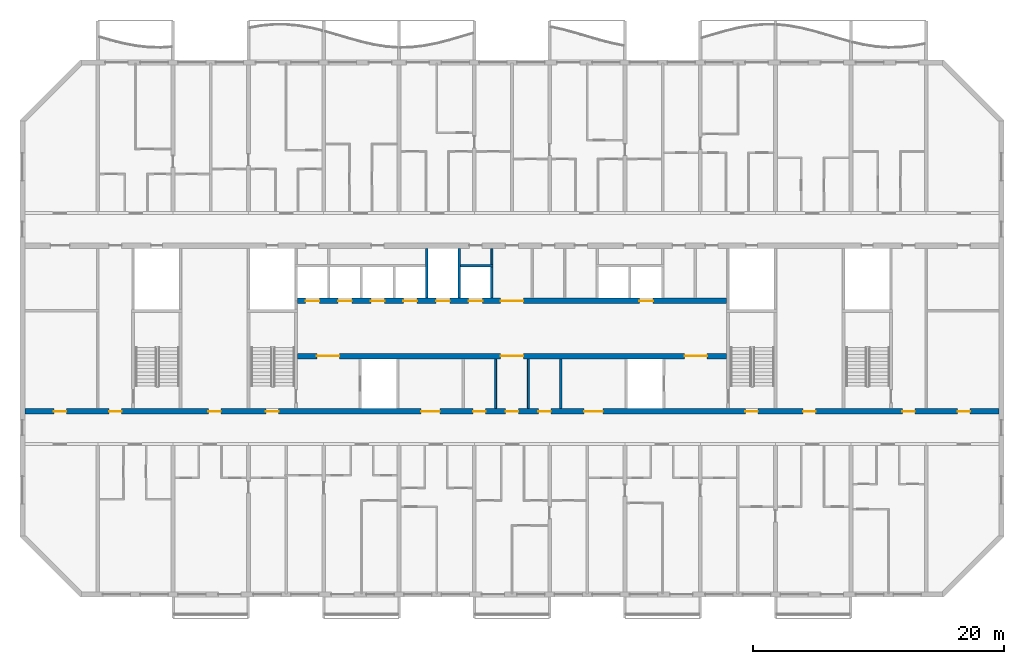
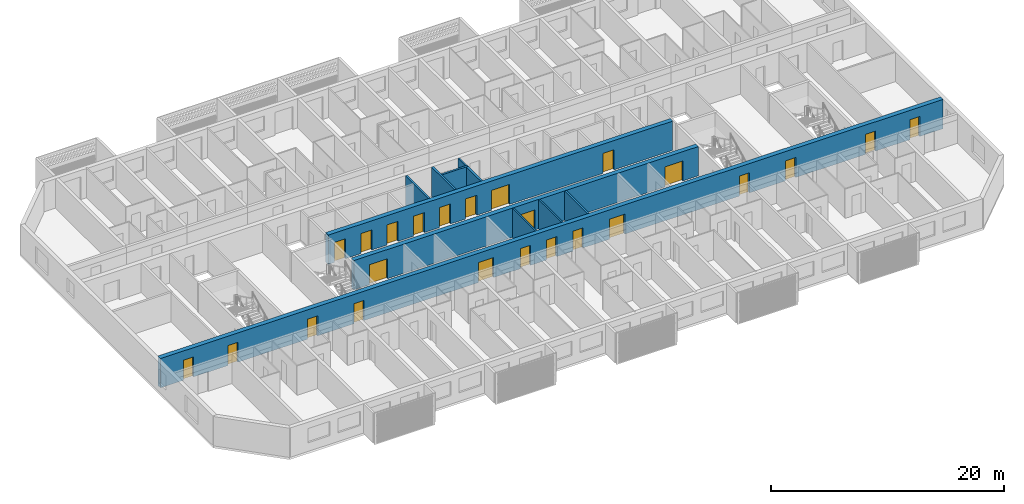
# One storey, part 7 of 33: 24 doors, 11 walls, 24 openings.
"""IFC4 building model written with IfcOpenShell, lengths in metres."""

from ifc_helpers import new_model, si_unit, direction, frame, frame_2d, origin, place, context, subcontext, project, spatial, rectangle, extrude, material, layer, layer_set, type_object, element, fill, save


model = new_model("IFC4")

# Units and contexts
model_context = context("Model", 3, precision=1e-05, world=origin(), true_north=direction((0.0, 1.0)))
body_context = subcontext(model_context, "Body", "Model", "MODEL_VIEW")
ifc_project = project(units=[si_unit("LENGTHUNIT", "METRE"), si_unit("AREAUNIT", "SQUARE_METRE"), si_unit("VOLUMEUNIT", "CUBIC_METRE"), si_unit("PLANEANGLEUNIT", "RADIAN"), si_unit("MASSUNIT", "GRAM", prefix="KILO")], contexts=[model_context])

# Site, building, storey
site_placement = place(None, origin())
site = spatial("IfcSite", under=ifc_project, at=site_placement, CompositionType="ELEMENT")
building_placement = place(site_placement, origin())
building = spatial("IfcBuilding", under=site, at=building_placement, Name="Poui Terraces", CompositionType="ELEMENT")
storey_placement = place(building_placement, frame((0.0, 0.0, 132.300048828125)))
storey = spatial("IfcBuildingStorey", under=building, at=storey_placement, Name="L36", CompositionType="ELEMENT", Elevation=132.300048828125)

# Wall, openings, doors
ifc_material_1 = material(Name="Concrete 65 MPa", Category="concrete")
ifc_layer_1 = layer(ifc_material_1, 0.449951171875)
ifc_layer_set_1 = layer_set([ifc_layer_1], Name="Concrete 65 MPa")
wall_type_1 = type_object("IfcWallType", Name="CORE WALL 450 65 MPA", PredefinedType="SOLIDWALL", material=ifc_layer_set_1)
wall_1_placement = place(storey_placement, frame((33.925048828125, 19.0, 0.0), z_axis=(0.0, 0.0, 1.0), x_axis=(1.0, 0.0, 0.0)))
wall_1 = element("IfcWall", 1, at=wall_1_placement, inside=storey, type_object=wall_type_1, Name="CORE WALL", PredefinedType="SOLIDWALL", context=body_context, shape_type="SweptSolid", body=[
    extrude(rectangle(XDim=34.14990234375, YDim=0.449951171875, at=frame_2d((17.074951171875, 0.0))), origin(), (0.0, 0.0, 1.0), 3.070068359375),
])
opening_1_placement = place(wall_1_placement, frame((16.175048828125, 0.0, 0.0)))
opening_1 = element("IfcOpeningElement", 2, at=opening_1_placement, cuts=wall_1, Name="Opening FDD60", PredefinedType="OPENING", context=body_context, shape_type="SweptSolid", body=[
    extrude(rectangle(XDim=1.800048828125, YDim=2.10009765625, at=frame_2d((0.89990234375, 1.050048828125))), frame((0.0, 0.23486328125, 0.0), z_axis=(0.0, -1.0, 0.0), x_axis=(1.0, 0.0, 0.0)), (0.0, 0.0, 1.0), 0.469970703125),
])
opening_2_placement = place(wall_1_placement, frame((1.52490234375, 0.0, 0.0)))
opening_2 = element("IfcOpeningElement", 3, at=opening_2_placement, cuts=wall_1, Name="Opening FDD60", PredefinedType="OPENING", context=body_context, shape_type="SweptSolid", body=[
    extrude(rectangle(XDim=1.800048828125, YDim=2.10009765625, at=frame_2d((0.89990234375, 1.050048828125))), frame((0.0, 0.23486328125, 0.0), z_axis=(0.0, -1.0, 0.0), x_axis=(1.0, 0.0, 0.0)), (0.0, 0.0, 1.0), 0.469970703125),
])
opening_3_placement = place(wall_1_placement, frame((30.824951171875, 0.0, 0.0)))
opening_3 = element("IfcOpeningElement", 4, at=opening_3_placement, cuts=wall_1, Name="Opening FDD60", PredefinedType="OPENING", context=body_context, shape_type="SweptSolid", body=[
    extrude(rectangle(XDim=1.800048828125, YDim=2.10009765625, at=frame_2d((0.89990234375, 1.050048828125))), frame((0.0, 0.23486328125, 0.0), z_axis=(0.0, -1.0, 0.0), x_axis=(1.0, 0.0, 0.0)), (0.0, 0.0, 1.0), 0.469970703125),
])
ifc_material_2 = material(Name="Steel fire door", Category="steel")
door_type_1 = type_object("IfcDoorType", Name="DOUBLE LOBBY FIRE DOOR 1800 X 2100", OperationType="DOUBLE_DOOR_SINGLE_SWING", PredefinedType="DOOR", material=ifc_material_2)
door_1_placement = place(opening_1_placement, frame((1.800048828125, 0.0, 0.0), z_axis=(0.0, 0.0, 1.0), x_axis=(-1.0, 0.0, 0.0)))
door_1 = element("IfcDoor", 5, at=door_1_placement, inside=storey, type_object=door_type_1, Name="DOUBLE LOBBY FIRE DOOR 122", OperationType="DOUBLE_DOOR_SINGLE_SWING", OverallHeight=2.10009765625, OverallWidth=1.800048828125, PredefinedType="DOOR", context=body_context, shape_type="SweptSolid", body=[
    extrude(rectangle(XDim=1.800048828125, YDim=2.10009765625, at=frame_2d((0.89990234375, 1.050048828125))), frame((0.0, 0.02490234375, 0.0), z_axis=(0.0, -1.0, 0.0), x_axis=(1.0, 0.0, 0.0)), (0.0, 0.0, 1.0), 0.050048828125),
])
fill(opening_1, door_1)
door_2_placement = place(opening_2_placement, origin())
door_2 = element("IfcDoor", 6, at=door_2_placement, inside=storey, type_object=door_type_1, Name="DOUBLE LOBBY FIRE DOOR 124", OperationType="DOUBLE_DOOR_SINGLE_SWING", OverallHeight=2.10009765625, OverallWidth=1.800048828125, PredefinedType="DOOR", context=body_context, shape_type="SweptSolid", body=[
    extrude(rectangle(XDim=1.800048828125, YDim=2.10009765625, at=frame_2d((0.89990234375, 1.050048828125))), frame((0.0, 0.02490234375, 0.0), z_axis=(0.0, -1.0, 0.0), x_axis=(1.0, 0.0, 0.0)), (0.0, 0.0, 1.0), 0.050048828125),
])
fill(opening_2, door_2)
door_3_placement = place(opening_3_placement, origin())
door_3 = element("IfcDoor", 7, at=door_3_placement, inside=storey, type_object=door_type_1, Name="DOUBLE LOBBY FIRE DOOR 131", OperationType="DOUBLE_DOOR_SINGLE_SWING", OverallHeight=2.10009765625, OverallWidth=1.800048828125, PredefinedType="DOOR", context=body_context, shape_type="SweptSolid", body=[
    extrude(rectangle(XDim=1.800048828125, YDim=2.10009765625, at=frame_2d((0.89990234375, 1.050048828125))), frame((0.0, 0.02490234375, 0.0), z_axis=(0.0, -1.0, 0.0), x_axis=(1.0, 0.0, 0.0)), (0.0, 0.0, 1.0), 0.050048828125),
])
fill(opening_3, door_3)

wall_2_placement = place(storey_placement, frame((33.925048828125, 23.39990234375, 0.0), z_axis=(0.0, 0.0, 1.0), x_axis=(1.0, 0.0, 0.0)))
wall_2 = element("IfcWall", 8, at=wall_2_placement, inside=storey, type_object=wall_type_1, Name="CORE WALL", PredefinedType="SOLIDWALL", context=body_context, shape_type="SweptSolid", body=[
    extrude(rectangle(XDim=34.14990234375, YDim=0.449951171875, at=frame_2d((17.074951171875, 0.0))), origin(), (0.0, 0.0, 1.0), 3.070068359375),
])
opening_4_placement = place(wall_2_placement, frame((16.175048828125, 0.0, 0.0)))
opening_4 = element("IfcOpeningElement", 9, at=opening_4_placement, cuts=wall_2, Name="Opening FDD60", PredefinedType="OPENING", context=body_context, shape_type="SweptSolid", body=[
    extrude(rectangle(XDim=1.800048828125, YDim=2.10009765625, at=frame_2d((0.89990234375, 1.050048828125))), frame((0.0, 0.23486328125, 0.0), z_axis=(0.0, -1.0, 0.0), x_axis=(1.0, 0.0, 0.0)), (0.0, 0.0, 1.0), 0.469970703125),
])
opening_5_placement = place(wall_2_placement, frame((0.625, 0.0, 0.0)))
opening_5 = element("IfcOpeningElement", 10, at=opening_5_placement, cuts=wall_2, Name="Opening LD", PredefinedType="OPENING", context=body_context, shape_type="SweptSolid", body=[
    extrude(rectangle(XDim=1.10009765625, YDim=2.10009765625, at=frame_2d((0.550048828125, 1.050048828125))), frame((0.0, 0.23486328125, 0.0), z_axis=(0.0, -1.0, 0.0), x_axis=(1.0, 0.0, 0.0)), (0.0, 0.0, 1.0), 0.469970703125),
])
opening_6_placement = place(wall_2_placement, frame((3.22509765625, 0.0, 0.0)))
opening_6 = element("IfcOpeningElement", 11, at=opening_6_placement, cuts=wall_2, Name="Opening LD", PredefinedType="OPENING", context=body_context, shape_type="SweptSolid", body=[
    extrude(rectangle(XDim=1.10009765625, YDim=2.10009765625, at=frame_2d((0.550048828125, 1.050048828125))), frame((0.0, 0.23486328125, 0.0), z_axis=(0.0, -1.0, 0.0), x_axis=(1.0, 0.0, 0.0)), (0.0, 0.0, 1.0), 0.469970703125),
])
opening_7_placement = place(wall_2_placement, frame((5.824951171875, 0.0, 0.0)))
opening_7 = element("IfcOpeningElement", 12, at=opening_7_placement, cuts=wall_2, Name="Opening LD", PredefinedType="OPENING", context=body_context, shape_type="SweptSolid", body=[
    extrude(rectangle(XDim=1.10009765625, YDim=2.10009765625, at=frame_2d((0.550048828125, 1.050048828125))), frame((0.0, 0.23486328125, 0.0), z_axis=(0.0, -1.0, 0.0), x_axis=(1.0, 0.0, 0.0)), (0.0, 0.0, 1.0), 0.469970703125),
])
opening_8_placement = place(wall_2_placement, frame((8.425048828125, 0.0, 0.0)))
opening_8 = element("IfcOpeningElement", 13, at=opening_8_placement, cuts=wall_2, Name="Opening LD", PredefinedType="OPENING", context=body_context, shape_type="SweptSolid", body=[
    extrude(rectangle(XDim=1.10009765625, YDim=2.10009765625, at=frame_2d((0.550048828125, 1.050048828125))), frame((0.0, 0.23486328125, 0.0), z_axis=(0.0, -1.0, 0.0), x_axis=(1.0, 0.0, 0.0)), (0.0, 0.0, 1.0), 0.469970703125),
])
opening_9_placement = place(wall_2_placement, frame((11.02490234375, 0.0, 0.0)))
opening_9 = element("IfcOpeningElement", 14, at=opening_9_placement, cuts=wall_2, Name="Opening LD", PredefinedType="OPENING", context=body_context, shape_type="SweptSolid", body=[
    extrude(rectangle(XDim=1.10009765625, YDim=2.10009765625, at=frame_2d((0.550048828125, 1.050048828125))), frame((0.0, 0.23486328125, 0.0), z_axis=(0.0, -1.0, 0.0), x_axis=(1.0, 0.0, 0.0)), (0.0, 0.0, 1.0), 0.469970703125),
])
opening_10_placement = place(wall_2_placement, frame((13.625, 0.0, 0.0)))
opening_10 = element("IfcOpeningElement", 15, at=opening_10_placement, cuts=wall_2, Name="Opening LD", PredefinedType="OPENING", context=body_context, shape_type="SweptSolid", body=[
    extrude(rectangle(XDim=1.10009765625, YDim=2.10009765625, at=frame_2d((0.550048828125, 1.050048828125))), frame((0.0, 0.23486328125, 0.0), z_axis=(0.0, -1.0, 0.0), x_axis=(1.0, 0.0, 0.0)), (0.0, 0.0, 1.0), 0.469970703125),
])
opening_11_placement = place(wall_2_placement, frame((27.22509765625, 0.0, 0.0)))
opening_11 = element("IfcOpeningElement", 16, at=opening_11_placement, cuts=wall_2, Name="Opening LD", PredefinedType="OPENING", context=body_context, shape_type="SweptSolid", body=[
    extrude(rectangle(XDim=1.10009765625, YDim=2.10009765625, at=frame_2d((0.550048828125, 1.050048828125))), frame((0.0, 0.23486328125, 0.0), z_axis=(0.0, -1.0, 0.0), x_axis=(1.0, 0.0, 0.0)), (0.0, 0.0, 1.0), 0.469970703125),
])
door_4_placement = place(opening_4_placement, origin())
door_4 = element("IfcDoor", 17, at=door_4_placement, inside=storey, type_object=door_type_1, Name="DOUBLE LOBBY FIRE DOOR 121", OperationType="DOUBLE_DOOR_SINGLE_SWING", OverallHeight=2.10009765625, OverallWidth=1.800048828125, PredefinedType="DOOR", context=body_context, shape_type="SweptSolid", body=[
    extrude(rectangle(XDim=1.800048828125, YDim=2.10009765625, at=frame_2d((0.89990234375, 1.050048828125))), frame((0.0, 0.02490234375, 0.0), z_axis=(0.0, -1.0, 0.0), x_axis=(1.0, 0.0, 0.0)), (0.0, 0.0, 1.0), 0.050048828125),
])
fill(opening_4, door_4)
ifc_material_3 = material(Name="Stainless steel sliding door", Category="steel")
door_type_2 = type_object("IfcDoorType", Name="LIFT LANDING DOOR 1100 X 2100", OperationType="DOUBLE_DOOR_SLIDING", PredefinedType="DOOR", material=ifc_material_3)
door_5_placement = place(opening_5_placement, origin())
door_5 = element("IfcDoor", 18, at=door_5_placement, inside=storey, type_object=door_type_2, Name="LANDING DOOR", OperationType="DOUBLE_DOOR_SLIDING", OverallHeight=2.10009765625, OverallWidth=1.10009765625, PredefinedType="DOOR", context=body_context, shape_type="SweptSolid", body=[
    extrude(rectangle(XDim=1.10009765625, YDim=2.10009765625, at=frame_2d((0.550048828125, 1.050048828125))), frame((0.0, 0.02490234375, 0.0), z_axis=(0.0, -1.0, 0.0), x_axis=(1.0, 0.0, 0.0)), (0.0, 0.0, 1.0), 0.050048828125),
])
fill(opening_5, door_5)
door_6_placement = place(opening_6_placement, origin())
door_6 = element("IfcDoor", 19, at=door_6_placement, inside=storey, type_object=door_type_2, Name="LANDING DOOR", OperationType="DOUBLE_DOOR_SLIDING", OverallHeight=2.10009765625, OverallWidth=1.10009765625, PredefinedType="DOOR", context=body_context, shape_type="SweptSolid", body=[
    extrude(rectangle(XDim=1.10009765625, YDim=2.10009765625, at=frame_2d((0.550048828125, 1.050048828125))), frame((0.0, 0.02490234375, 0.0), z_axis=(0.0, -1.0, 0.0), x_axis=(1.0, 0.0, 0.0)), (0.0, 0.0, 1.0), 0.050048828125),
])
fill(opening_6, door_6)
door_7_placement = place(opening_7_placement, origin())
door_7 = element("IfcDoor", 20, at=door_7_placement, inside=storey, type_object=door_type_2, Name="LANDING DOOR", OperationType="DOUBLE_DOOR_SLIDING", OverallHeight=2.10009765625, OverallWidth=1.10009765625, PredefinedType="DOOR", context=body_context, shape_type="SweptSolid", body=[
    extrude(rectangle(XDim=1.10009765625, YDim=2.10009765625, at=frame_2d((0.550048828125, 1.050048828125))), frame((0.0, 0.02490234375, 0.0), z_axis=(0.0, -1.0, 0.0), x_axis=(1.0, 0.0, 0.0)), (0.0, 0.0, 1.0), 0.050048828125),
])
fill(opening_7, door_7)
door_8_placement = place(opening_8_placement, origin())
door_8 = element("IfcDoor", 21, at=door_8_placement, inside=storey, type_object=door_type_2, Name="LANDING DOOR", OperationType="DOUBLE_DOOR_SLIDING", OverallHeight=2.10009765625, OverallWidth=1.10009765625, PredefinedType="DOOR", context=body_context, shape_type="SweptSolid", body=[
    extrude(rectangle(XDim=1.10009765625, YDim=2.10009765625, at=frame_2d((0.550048828125, 1.050048828125))), frame((0.0, 0.02490234375, 0.0), z_axis=(0.0, -1.0, 0.0), x_axis=(1.0, 0.0, 0.0)), (0.0, 0.0, 1.0), 0.050048828125),
])
fill(opening_8, door_8)
door_9_placement = place(opening_9_placement, origin())
door_9 = element("IfcDoor", 22, at=door_9_placement, inside=storey, type_object=door_type_2, Name="LANDING DOOR", OperationType="DOUBLE_DOOR_SLIDING", OverallHeight=2.10009765625, OverallWidth=1.10009765625, PredefinedType="DOOR", context=body_context, shape_type="SweptSolid", body=[
    extrude(rectangle(XDim=1.10009765625, YDim=2.10009765625, at=frame_2d((0.550048828125, 1.050048828125))), frame((0.0, 0.02490234375, 0.0), z_axis=(0.0, -1.0, 0.0), x_axis=(1.0, 0.0, 0.0)), (0.0, 0.0, 1.0), 0.050048828125),
])
fill(opening_9, door_9)
door_10_placement = place(opening_10_placement, origin())
door_10 = element("IfcDoor", 23, at=door_10_placement, inside=storey, type_object=door_type_2, Name="LANDING DOOR", OperationType="DOUBLE_DOOR_SLIDING", OverallHeight=2.10009765625, OverallWidth=1.10009765625, PredefinedType="DOOR", context=body_context, shape_type="SweptSolid", body=[
    extrude(rectangle(XDim=1.10009765625, YDim=2.10009765625, at=frame_2d((0.550048828125, 1.050048828125))), frame((0.0, 0.02490234375, 0.0), z_axis=(0.0, -1.0, 0.0), x_axis=(1.0, 0.0, 0.0)), (0.0, 0.0, 1.0), 0.050048828125),
])
fill(opening_10, door_10)
door_11_placement = place(opening_11_placement, origin())
door_11 = element("IfcDoor", 24, at=door_11_placement, inside=storey, type_object=door_type_2, Name="LANDING DOOR", OperationType="DOUBLE_DOOR_SLIDING", OverallHeight=2.10009765625, OverallWidth=1.10009765625, PredefinedType="DOOR", context=body_context, shape_type="SweptSolid", body=[
    extrude(rectangle(XDim=1.10009765625, YDim=2.10009765625, at=frame_2d((0.550048828125, 1.050048828125))), frame((0.0, 0.02490234375, 0.0), z_axis=(0.0, -1.0, 0.0), x_axis=(1.0, 0.0, 0.0)), (0.0, 0.0, 1.0), 0.050048828125),
])
fill(opening_11, door_11)

# Walls
ifc_material_4 = material(Name="Fire-rated plasterboard wall")
ifc_layer_2 = layer(ifc_material_4, 0.14990234375)
ifc_layer_set_2 = layer_set([ifc_layer_2], Name="Fire-rated plasterboard wall")
wall_type_2 = type_object("IfcWallType", Name="CORRIDOR WALL 150", PredefinedType="PARTITIONING", material=ifc_layer_set_2)
wall_3_placement = place(storey_placement, frame((49.39990234375, 26.300048828125, 0.0), z_axis=(0.0, 0.0, 1.0), x_axis=(0.0, 1.0, 0.0)))
element("IfcWall", 25, at=wall_3_placement, inside=storey, type_object=wall_type_2, Name="CORRIDOR WALL 150", PredefinedType="PARTITIONING", context=body_context, shape_type="SweptSolid", body=[
    extrude(rectangle(XDim=1.264892578125, YDim=0.14990234375, at=frame_2d((0.63232421875, 0.0))), origin(), (0.0, 0.0, 1.0), 3.070068359375),
])
for number, where, z_axis, x_axis, name in (
    (26, (49.699951171875, 14.8349609375, 0.0), (0.0, 0.0, 1.0), (0.0, 1.0, 0.0), "CORRIDOR WALL 150"),
    (27, (52.300048828125, 14.8349609375, 0.0), (0.0, 0.0, 1.0), (0.0, 1.0, 0.0), "CORRIDOR WALL 150"),
):
    element("IfcWall", number, at=place(storey_placement, frame(where, z_axis=z_axis, x_axis=x_axis)), inside=storey, type_object=wall_type_2, Name=name, PredefinedType="PARTITIONING", context=body_context, shape_type="SweptSolid", body=[
        extrude(rectangle(XDim=3.929931640625, YDim=0.14990234375, at=frame_2d((1.96484375, 0.0))), origin(), (0.0, 0.0, 1.0), 3.070068359375),
    ])
ifc_material_5 = material(Name="Fire-rated masonry wall", Category="masonry")
ifc_layer_3 = layer(ifc_material_5, 0.199951171875)
ifc_layer_set_3 = layer_set([ifc_layer_3], Name="Fire-rated masonry wall")
wall_type_3 = type_object("IfcWallType", Name="PLANT ROOM WALL 200", PredefinedType="PARTITIONING", material=ifc_layer_set_3)
wall_4_placement = place(storey_placement, frame((54.89990234375, 14.8349609375, 0.0), z_axis=(0.0, 0.0, 1.0), x_axis=(0.0, 1.0, 0.0)))
element("IfcWall", 28, at=wall_4_placement, inside=storey, type_object=wall_type_3, Name="PLANT ROOM WALL 200", PredefinedType="PARTITIONING", context=body_context, shape_type="SweptSolid", body=[
    extrude(rectangle(XDim=3.929931640625, YDim=0.199951171875, at=frame_2d((1.96484375, 0.0))), origin(), (0.0, 0.0, 1.0), 3.070068359375),
])
ifc_material_6 = material(Name="Fire-rated masonry shaft wall", Category="masonry")
ifc_layer_4 = layer(ifc_material_6, 0.199951171875)
ifc_layer_set_4 = layer_set([ifc_layer_4], Name="Fire-rated masonry shaft wall")
wall_type_4 = type_object("IfcWallType", Name="SHAFT WALL 200", PredefinedType="PARTITIONING", material=ifc_layer_set_4)
wall_5_placement = place(storey_placement, frame((46.89990234375, 26.199951171875, 0.0), z_axis=(0.0, 0.0, 1.0), x_axis=(1.0, 0.0, 0.0)))
element("IfcWall", 29, at=wall_5_placement, inside=storey, type_object=wall_type_4, Name="SHAFT WALL 200", PredefinedType="PARTITIONING", context=body_context, shape_type="SweptSolid", body=[
    extrude(rectangle(XDim=2.60009765625, YDim=0.199951171875, at=frame_2d((1.300048828125, 0.0))), origin(), (0.0, 0.0, 1.0), 3.070068359375),
])
for number, where, z_axis, x_axis, name in (
    (30, (44.199951171875, 23.635009765625, 0.0), (0.0, 0.0, 1.0), (0.0, 1.0, 0.0), "SHAFT WALL 200"),
    (31, (46.800048828125, 23.635009765625, 0.0), (0.0, 0.0, 1.0), (0.0, 1.0, 0.0), "SHAFT WALL 200"),
):
    element("IfcWall", number, at=place(storey_placement, frame(where, z_axis=z_axis, x_axis=x_axis)), inside=storey, type_object=wall_type_4, Name=name, PredefinedType="PARTITIONING", context=body_context, shape_type="SweptSolid", body=[
        extrude(rectangle(XDim=3.929931640625, YDim=0.199951171875, at=frame_2d((1.96484375, 0.0))), origin(), (0.0, 0.0, 1.0), 3.070068359375),
    ])
wall_6_placement = place(storey_placement, frame((49.39990234375, 23.635009765625, 0.0), z_axis=(0.0, 0.0, 1.0), x_axis=(0.0, 1.0, 0.0)))
element("IfcWall", 32, at=wall_6_placement, inside=storey, type_object=wall_type_4, Name="SHAFT WALL 200", PredefinedType="PARTITIONING", context=body_context, shape_type="SweptSolid", body=[
    extrude(rectangle(XDim=2.465087890625, YDim=0.199951171875, at=frame_2d((1.232421875, 0.0))), origin(), (0.0, 0.0, 1.0), 3.070068359375),
])

# Wall, openings, doors
ifc_layer_5 = layer(ifc_material_1, 0.449951171875)
ifc_layer_set_5 = layer_set([ifc_layer_5], Name="Concrete 65 MPa")
wall_type_5 = type_object("IfcWallType", Name="SPINE WALL 450 65 MPA", PredefinedType="SOLIDWALL", material=ifc_layer_set_5)
wall_7_placement = place(storey_placement, frame((12.199951171875, 14.60009765625, 0.0), z_axis=(0.0, 0.0, 1.0), x_axis=(1.0, 0.0, 0.0)))
wall_7 = element("IfcWall", 33, at=wall_7_placement, inside=storey, type_object=wall_type_5, Name="SPINE WALL", PredefinedType="SOLIDWALL", context=body_context, shape_type="SweptSolid", body=[
    extrude(rectangle(XDim=77.60009765625, YDim=0.449951171875, at=frame_2d((38.800048828125, 0.0))), origin(), (0.0, 0.0, 1.0), 3.070068359375),
])
opening_12_placement = place(wall_7_placement, frame((2.300048828125, 0.0, 0.0)))
opening_12 = element("IfcOpeningElement", 34, at=opening_12_placement, cuts=wall_7, Name="Opening FD60", PredefinedType="OPENING", context=body_context, shape_type="SweptSolid", body=[
    extrude(rectangle(XDim=1.0, YDim=2.10009765625, at=frame_2d((0.5, 1.050048828125))), frame((0.0, 0.23486328125, 0.0), z_axis=(0.0, -1.0, 0.0), x_axis=(1.0, 0.0, 0.0)), (0.0, 0.0, 1.0), 0.469970703125),
])
opening_13_placement = place(wall_7_placement, frame((6.699951171875, 0.0, 0.0)))
opening_13 = element("IfcOpeningElement", 35, at=opening_13_placement, cuts=wall_7, Name="Opening FDL", PredefinedType="OPENING", context=body_context, shape_type="SweptSolid", body=[
    extrude(rectangle(XDim=1.0, YDim=2.10009765625, at=frame_2d((0.5, 1.050048828125))), frame((0.0, 0.23486328125, 0.0), z_axis=(0.0, -1.0, 0.0), x_axis=(1.0, 0.0, 0.0)), (0.0, 0.0, 1.0), 0.469970703125),
])
opening_14_placement = place(wall_7_placement, frame((14.60009765625, 0.0, 0.0)))
opening_14 = element("IfcOpeningElement", 36, at=opening_14_placement, cuts=wall_7, Name="Opening D100", PredefinedType="OPENING", context=body_context, shape_type="SweptSolid", body=[
    extrude(rectangle(XDim=1.0, YDim=2.10009765625, at=frame_2d((0.5, 1.050048828125))), frame((0.0, 0.23486328125, 0.0), z_axis=(0.0, -1.0, 0.0), x_axis=(1.0, 0.0, 0.0)), (0.0, 0.0, 1.0), 0.469970703125),
])
opening_15_placement = place(wall_7_placement, frame((19.199951171875, 0.0, 0.0)))
opening_15 = element("IfcOpeningElement", 37, at=opening_15_placement, cuts=wall_7, Name="Opening FD60S", PredefinedType="OPENING", context=body_context, shape_type="SweptSolid", body=[
    extrude(rectangle(XDim=1.0, YDim=2.10009765625, at=frame_2d((0.5, 1.050048828125))), frame((0.0, 0.23486328125, 0.0), z_axis=(0.0, -1.0, 0.0), x_axis=(1.0, 0.0, 0.0)), (0.0, 0.0, 1.0), 0.469970703125),
])
opening_16_placement = place(wall_7_placement, frame((31.550048828125, 0.0, 0.0)))
opening_16 = element("IfcOpeningElement", 38, at=opening_16_placement, cuts=wall_7, Name="Opening FDP", PredefinedType="OPENING", context=body_context, shape_type="SweptSolid", body=[
    extrude(rectangle(XDim=1.5, YDim=2.10009765625, at=frame_2d((0.75, 1.050048828125))), frame((0.0, 0.23486328125, 0.0), z_axis=(0.0, -1.0, 0.0), x_axis=(1.0, 0.0, 0.0)), (0.0, 0.0, 1.0), 0.469970703125),
])
opening_17_placement = place(wall_7_placement, frame((35.699951171875, 0.0, 0.0)))
opening_17 = element("IfcOpeningElement", 39, at=opening_17_placement, cuts=wall_7, Name="Opening FD60", PredefinedType="OPENING", context=body_context, shape_type="SweptSolid", body=[
    extrude(rectangle(XDim=1.0, YDim=2.10009765625, at=frame_2d((0.5, 1.050048828125))), frame((0.0, 0.23486328125, 0.0), z_axis=(0.0, -1.0, 0.0), x_axis=(1.0, 0.0, 0.0)), (0.0, 0.0, 1.0), 0.469970703125),
])
opening_18_placement = place(wall_7_placement, frame((38.300048828125, 0.0, 0.0)))
opening_18 = element("IfcOpeningElement", 40, at=opening_18_placement, cuts=wall_7, Name="Opening FDL", PredefinedType="OPENING", context=body_context, shape_type="SweptSolid", body=[
    extrude(rectangle(XDim=1.0, YDim=2.10009765625, at=frame_2d((0.5, 1.050048828125))), frame((0.0, 0.23486328125, 0.0), z_axis=(0.0, -1.0, 0.0), x_axis=(1.0, 0.0, 0.0)), (0.0, 0.0, 1.0), 0.469970703125),
])
opening_19_placement = place(wall_7_placement, frame((40.89990234375, 0.0, 0.0)))
opening_19 = element("IfcOpeningElement", 41, at=opening_19_placement, cuts=wall_7, Name="Opening FD60", PredefinedType="OPENING", context=body_context, shape_type="SweptSolid", body=[
    extrude(rectangle(XDim=1.0, YDim=2.10009765625, at=frame_2d((0.5, 1.050048828125))), frame((0.0, 0.23486328125, 0.0), z_axis=(0.0, -1.0, 0.0), x_axis=(1.0, 0.0, 0.0)), (0.0, 0.0, 1.0), 0.469970703125),
])
opening_20_placement = place(wall_7_placement, frame((44.550048828125, 0.0, 0.0)))
opening_20 = element("IfcOpeningElement", 42, at=opening_20_placement, cuts=wall_7, Name="Opening FDP", PredefinedType="OPENING", context=body_context, shape_type="SweptSolid", body=[
    extrude(rectangle(XDim=1.5, YDim=2.10009765625, at=frame_2d((0.75, 1.050048828125))), frame((0.0, 0.23486328125, 0.0), z_axis=(0.0, -1.0, 0.0), x_axis=(1.0, 0.0, 0.0)), (0.0, 0.0, 1.0), 0.469970703125),
])
opening_21_placement = place(wall_7_placement, frame((57.39990234375, 0.0, 0.0)))
opening_21 = element("IfcOpeningElement", 43, at=opening_21_placement, cuts=wall_7, Name="Opening FD60S", PredefinedType="OPENING", context=body_context, shape_type="SweptSolid", body=[
    extrude(rectangle(XDim=1.0, YDim=2.10009765625, at=frame_2d((0.5, 1.050048828125))), frame((0.0, 0.23486328125, 0.0), z_axis=(0.0, -1.0, 0.0), x_axis=(1.0, 0.0, 0.0)), (0.0, 0.0, 1.0), 0.469970703125),
])
opening_22_placement = place(wall_7_placement, frame((62.0, 0.0, 0.0)))
opening_22 = element("IfcOpeningElement", 44, at=opening_22_placement, cuts=wall_7, Name="Opening D100", PredefinedType="OPENING", context=body_context, shape_type="SweptSolid", body=[
    extrude(rectangle(XDim=1.0, YDim=2.10009765625, at=frame_2d((0.5, 1.050048828125))), frame((0.0, 0.23486328125, 0.0), z_axis=(0.0, -1.0, 0.0), x_axis=(1.0, 0.0, 0.0)), (0.0, 0.0, 1.0), 0.469970703125),
])
opening_23_placement = place(wall_7_placement, frame((69.89990234375, 0.0, 0.0)))
opening_23 = element("IfcOpeningElement", 45, at=opening_23_placement, cuts=wall_7, Name="Opening FDL", PredefinedType="OPENING", context=body_context, shape_type="SweptSolid", body=[
    extrude(rectangle(XDim=1.0, YDim=2.10009765625, at=frame_2d((0.5, 1.050048828125))), frame((0.0, 0.23486328125, 0.0), z_axis=(0.0, -1.0, 0.0), x_axis=(1.0, 0.0, 0.0)), (0.0, 0.0, 1.0), 0.469970703125),
])
opening_24_placement = place(wall_7_placement, frame((74.300048828125, 0.0, 0.0)))
opening_24 = element("IfcOpeningElement", 46, at=opening_24_placement, cuts=wall_7, Name="Opening FD60", PredefinedType="OPENING", context=body_context, shape_type="SweptSolid", body=[
    extrude(rectangle(XDim=1.0, YDim=2.10009765625, at=frame_2d((0.5, 1.050048828125))), frame((0.0, 0.23486328125, 0.0), z_axis=(0.0, -1.0, 0.0), x_axis=(1.0, 0.0, 0.0)), (0.0, 0.0, 1.0), 0.469970703125),
])
ifc_material_7 = material(Name="Solid core timber door", Category="wood")
door_type_3 = type_object("IfcDoorType", Name="ACCESSIBLE INTERNAL DOOR 1000 X 2100", OperationType="NOTDEFINED", PredefinedType="DOOR", material=ifc_material_7)
door_12_placement = place(opening_14_placement, frame((1.0, 0.0, 0.0), z_axis=(0.0, 0.0, 1.0), x_axis=(-1.0, 0.0, 0.0)))
door_12 = element("IfcDoor", 47, at=door_12_placement, inside=storey, type_object=door_type_3, Name="ACCESSIBLE INTERNAL DOOR 020", OperationType="SINGLE_SWING_LEFT", OverallHeight=2.10009765625, OverallWidth=1.0, PredefinedType="DOOR", context=body_context, shape_type="SweptSolid", body=[
    extrude(rectangle(XDim=1.0, YDim=2.10009765625, at=frame_2d((0.5, 1.050048828125))), frame((0.0, 0.02490234375, 0.0), z_axis=(0.0, -1.0, 0.0), x_axis=(1.0, 0.0, 0.0)), (0.0, 0.0, 1.0), 0.050048828125),
])
fill(opening_14, door_12)
door_13_placement = place(opening_22_placement, frame((1.0, 0.0, 0.0), z_axis=(0.0, 0.0, 1.0), x_axis=(-1.0, 0.0, 0.0)))
door_13 = element("IfcDoor", 48, at=door_13_placement, inside=storey, type_object=door_type_3, Name="ACCESSIBLE INTERNAL DOOR 028", OperationType="SINGLE_SWING_RIGHT", OverallHeight=2.10009765625, OverallWidth=1.0, PredefinedType="DOOR", context=body_context, shape_type="SweptSolid", body=[
    extrude(rectangle(XDim=1.0, YDim=2.10009765625, at=frame_2d((0.5, 1.050048828125))), frame((0.0, 0.02490234375, 0.0), z_axis=(0.0, -1.0, 0.0), x_axis=(1.0, 0.0, 0.0)), (0.0, 0.0, 1.0), 0.050048828125),
])
fill(opening_22, door_13)
door_type_4 = type_object("IfcDoorType", Name="LOBBY FIRE DOOR 1000 X 2100", OperationType="NOTDEFINED", PredefinedType="DOOR", material=ifc_material_2)
door_14_placement = place(opening_13_placement, frame((1.0, 0.0, 0.0), z_axis=(0.0, 0.0, 1.0), x_axis=(-1.0, 0.0, 0.0)))
door_14 = element("IfcDoor", 49, at=door_14_placement, inside=storey, type_object=door_type_4, Name="LOBBY FIRE DOOR 019", OperationType="SINGLE_SWING_RIGHT", OverallHeight=2.10009765625, OverallWidth=1.0, PredefinedType="DOOR", context=body_context, shape_type="SweptSolid", body=[
    extrude(rectangle(XDim=1.0, YDim=2.10009765625, at=frame_2d((0.5, 1.050048828125))), frame((0.0, 0.02490234375, 0.0), z_axis=(0.0, -1.0, 0.0), x_axis=(1.0, 0.0, 0.0)), (0.0, 0.0, 1.0), 0.050048828125),
])
fill(opening_13, door_14)
door_15_placement = place(opening_18_placement, frame((1.0, 0.0, 0.0), z_axis=(0.0, 0.0, 1.0), x_axis=(-1.0, 0.0, 0.0)))
door_15 = element("IfcDoor", 50, at=door_15_placement, inside=storey, type_object=door_type_4, Name="LOBBY FIRE DOOR 024", OperationType="SINGLE_SWING_LEFT", OverallHeight=2.10009765625, OverallWidth=1.0, PredefinedType="DOOR", context=body_context, shape_type="SweptSolid", body=[
    extrude(rectangle(XDim=1.0, YDim=2.10009765625, at=frame_2d((0.5, 1.050048828125))), frame((0.0, 0.02490234375, 0.0), z_axis=(0.0, -1.0, 0.0), x_axis=(1.0, 0.0, 0.0)), (0.0, 0.0, 1.0), 0.050048828125),
])
fill(opening_18, door_15)
door_16_placement = place(opening_23_placement, frame((1.0, 0.0, 0.0), z_axis=(0.0, 0.0, 1.0), x_axis=(-1.0, 0.0, 0.0)))
door_16 = element("IfcDoor", 51, at=door_16_placement, inside=storey, type_object=door_type_4, Name="LOBBY FIRE DOOR 029", OperationType="SINGLE_SWING_LEFT", OverallHeight=2.10009765625, OverallWidth=1.0, PredefinedType="DOOR", context=body_context, shape_type="SweptSolid", body=[
    extrude(rectangle(XDim=1.0, YDim=2.10009765625, at=frame_2d((0.5, 1.050048828125))), frame((0.0, 0.02490234375, 0.0), z_axis=(0.0, -1.0, 0.0), x_axis=(1.0, 0.0, 0.0)), (0.0, 0.0, 1.0), 0.050048828125),
])
fill(opening_23, door_16)
door_type_5 = type_object("IfcDoorType", Name="PLANT ROOM DOOR PAIR 1500 X 2100", OperationType="DOUBLE_DOOR_SINGLE_SWING", PredefinedType="DOOR", material=ifc_material_2)
door_17_placement = place(opening_16_placement, frame((1.5, 0.0, 0.0), z_axis=(0.0, 0.0, 1.0), x_axis=(-1.0, 0.0, 0.0)))
door_17 = element("IfcDoor", 52, at=door_17_placement, inside=storey, type_object=door_type_5, Name="PLANT ROOM DOOR PAIR 022", OperationType="DOUBLE_DOOR_SINGLE_SWING", OverallHeight=2.10009765625, OverallWidth=1.5, PredefinedType="DOOR", context=body_context, shape_type="SweptSolid", body=[
    extrude(rectangle(XDim=1.5, YDim=2.10009765625, at=frame_2d((0.75, 1.050048828125))), frame((0.0, 0.02490234375, 0.0), z_axis=(0.0, -1.0, 0.0), x_axis=(1.0, 0.0, 0.0)), (0.0, 0.0, 1.0), 0.050048828125),
])
fill(opening_16, door_17)
door_18_placement = place(opening_20_placement, frame((1.5, 0.0, 0.0), z_axis=(0.0, 0.0, 1.0), x_axis=(-1.0, 0.0, 0.0)))
door_18 = element("IfcDoor", 53, at=door_18_placement, inside=storey, type_object=door_type_5, Name="PLANT ROOM DOOR PAIR 026", OperationType="DOUBLE_DOOR_SINGLE_SWING", OverallHeight=2.10009765625, OverallWidth=1.5, PredefinedType="DOOR", context=body_context, shape_type="SweptSolid", body=[
    extrude(rectangle(XDim=1.5, YDim=2.10009765625, at=frame_2d((0.75, 1.050048828125))), frame((0.0, 0.02490234375, 0.0), z_axis=(0.0, -1.0, 0.0), x_axis=(1.0, 0.0, 0.0)), (0.0, 0.0, 1.0), 0.050048828125),
])
fill(opening_20, door_18)
door_type_6 = type_object("IfcDoorType", Name="SERVICE ROOM FIRE DOOR 1000 X 2100", OperationType="NOTDEFINED", PredefinedType="DOOR", material=ifc_material_2)
door_19_placement = place(opening_12_placement, frame((1.0, 0.0, 0.0), z_axis=(0.0, 0.0, 1.0), x_axis=(-1.0, 0.0, 0.0)))
door_19 = element("IfcDoor", 54, at=door_19_placement, inside=storey, type_object=door_type_6, Name="SERVICE ROOM FIRE DOOR 018", OperationType="SINGLE_SWING_LEFT", OverallHeight=2.10009765625, OverallWidth=1.0, PredefinedType="DOOR", context=body_context, shape_type="SweptSolid", body=[
    extrude(rectangle(XDim=1.0, YDim=2.10009765625, at=frame_2d((0.5, 1.050048828125))), frame((0.0, 0.02490234375, 0.0), z_axis=(0.0, -1.0, 0.0), x_axis=(1.0, 0.0, 0.0)), (0.0, 0.0, 1.0), 0.050048828125),
])
fill(opening_12, door_19)
door_20_placement = place(opening_17_placement, frame((1.0, 0.0, 0.0), z_axis=(0.0, 0.0, 1.0), x_axis=(-1.0, 0.0, 0.0)))
door_20 = element("IfcDoor", 55, at=door_20_placement, inside=storey, type_object=door_type_6, Name="SERVICE ROOM FIRE DOOR 023", OperationType="SINGLE_SWING_RIGHT", OverallHeight=2.10009765625, OverallWidth=1.0, PredefinedType="DOOR", context=body_context, shape_type="SweptSolid", body=[
    extrude(rectangle(XDim=1.0, YDim=2.10009765625, at=frame_2d((0.5, 1.050048828125))), frame((0.0, 0.02490234375, 0.0), z_axis=(0.0, -1.0, 0.0), x_axis=(1.0, 0.0, 0.0)), (0.0, 0.0, 1.0), 0.050048828125),
])
fill(opening_17, door_20)
door_21_placement = place(opening_19_placement, frame((1.0, 0.0, 0.0), z_axis=(0.0, 0.0, 1.0), x_axis=(-1.0, 0.0, 0.0)))
door_21 = element("IfcDoor", 56, at=door_21_placement, inside=storey, type_object=door_type_6, Name="SERVICE ROOM FIRE DOOR 025", OperationType="SINGLE_SWING_LEFT", OverallHeight=2.10009765625, OverallWidth=1.0, PredefinedType="DOOR", context=body_context, shape_type="SweptSolid", body=[
    extrude(rectangle(XDim=1.0, YDim=2.10009765625, at=frame_2d((0.5, 1.050048828125))), frame((0.0, 0.02490234375, 0.0), z_axis=(0.0, -1.0, 0.0), x_axis=(1.0, 0.0, 0.0)), (0.0, 0.0, 1.0), 0.050048828125),
])
fill(opening_19, door_21)
door_22_placement = place(opening_24_placement, frame((1.0, 0.0, 0.0), z_axis=(0.0, 0.0, 1.0), x_axis=(-1.0, 0.0, 0.0)))
door_22 = element("IfcDoor", 57, at=door_22_placement, inside=storey, type_object=door_type_6, Name="SERVICE ROOM FIRE DOOR 030", OperationType="SINGLE_SWING_LEFT", OverallHeight=2.10009765625, OverallWidth=1.0, PredefinedType="DOOR", context=body_context, shape_type="SweptSolid", body=[
    extrude(rectangle(XDim=1.0, YDim=2.10009765625, at=frame_2d((0.5, 1.050048828125))), frame((0.0, 0.02490234375, 0.0), z_axis=(0.0, -1.0, 0.0), x_axis=(1.0, 0.0, 0.0)), (0.0, 0.0, 1.0), 0.050048828125),
])
fill(opening_24, door_22)
door_type_7 = type_object("IfcDoorType", Name="STAIR DOOR 1000 X 2100", OperationType="NOTDEFINED", PredefinedType="DOOR", material=ifc_material_2)
door_23_placement = place(opening_15_placement, origin())
door_23 = element("IfcDoor", 58, at=door_23_placement, inside=storey, type_object=door_type_7, Name="STAIR DOOR 021", OperationType="SINGLE_SWING_RIGHT", OverallHeight=2.10009765625, OverallWidth=1.0, PredefinedType="DOOR", context=body_context, shape_type="SweptSolid", body=[
    extrude(rectangle(XDim=1.0, YDim=2.10009765625, at=frame_2d((0.5, 1.050048828125))), frame((0.0, 0.02490234375, 0.0), z_axis=(0.0, -1.0, 0.0), x_axis=(1.0, 0.0, 0.0)), (0.0, 0.0, 1.0), 0.050048828125),
])
fill(opening_15, door_23)
door_24_placement = place(opening_21_placement, origin())
door_24 = element("IfcDoor", 59, at=door_24_placement, inside=storey, type_object=door_type_7, Name="STAIR DOOR 027", OperationType="SINGLE_SWING_RIGHT", OverallHeight=2.10009765625, OverallWidth=1.0, PredefinedType="DOOR", context=body_context, shape_type="SweptSolid", body=[
    extrude(rectangle(XDim=1.0, YDim=2.10009765625, at=frame_2d((0.5, 1.050048828125))), frame((0.0, 0.02490234375, 0.0), z_axis=(0.0, -1.0, 0.0), x_axis=(1.0, 0.0, 0.0)), (0.0, 0.0, 1.0), 0.050048828125),
])
fill(opening_21, door_24)

save(model, "model.ifc")
